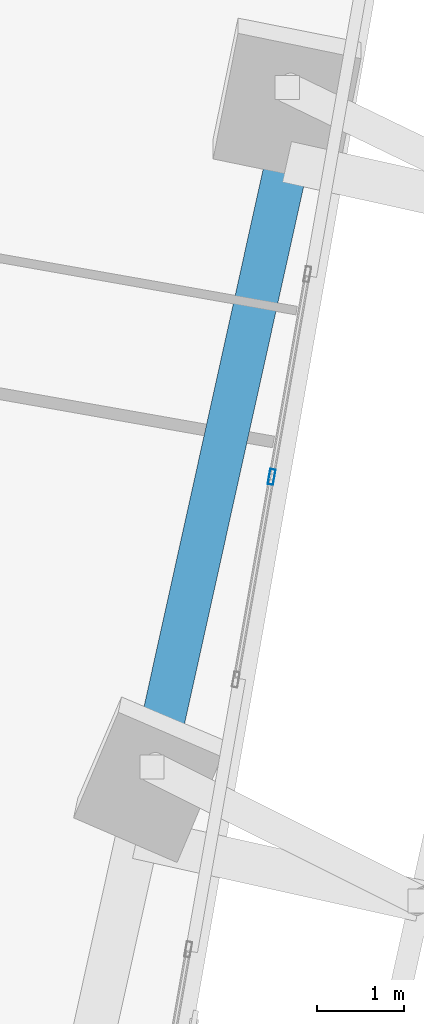
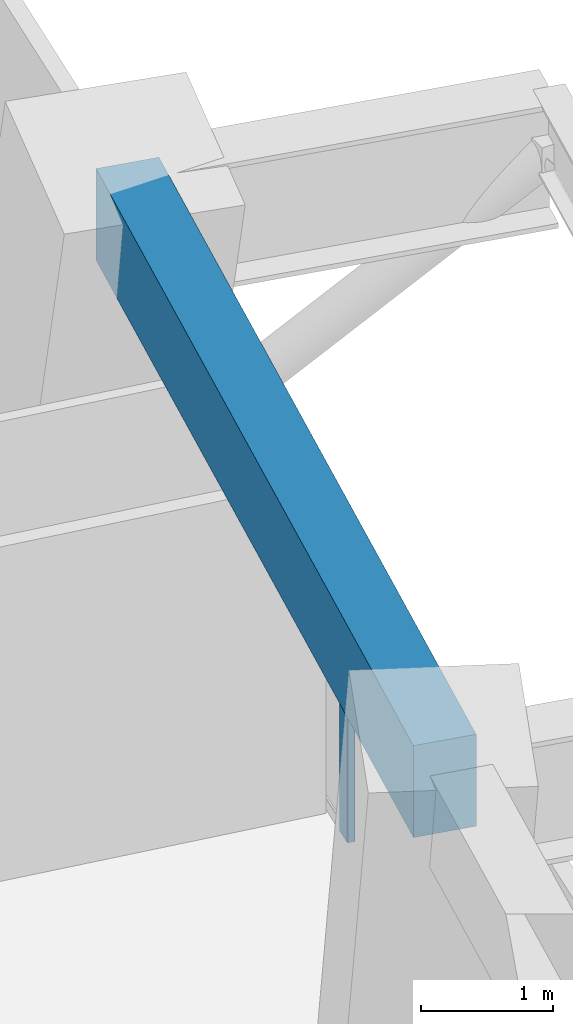
# One storey, part 10 of 24: 1 beam, 1 member, 1 element without a shape of its own.
"""IFC4 building model written with IfcOpenShell, lengths in metres."""

from ifc_helpers import new_model, si_unit, direction, frame, origin, origin_2d, place, context, subcontext, project, spatial, rectangle, hollow_rectangle, extrude, source, transform, mapped, material, material_profile, profile_set, type_object, element, aggregate, save


model = new_model("IFC4")

# Units and contexts
model_context = context("Model", 3, precision=1e-05, world=origin(), true_north=direction((0.0, 1.0)))
body_context = subcontext(model_context, "Body", "Model", "MODEL_VIEW")
ifc_project = project(units=[si_unit("LENGTHUNIT", "METRE"), si_unit("AREAUNIT", "SQUARE_METRE"), si_unit("VOLUMEUNIT", "CUBIC_METRE"), si_unit("PLANEANGLEUNIT", "RADIAN"), si_unit("MASSUNIT", "GRAM", prefix="KILO")], contexts=[model_context])

# Site, building, storey
site_placement = place(None, origin())
site = spatial("IfcSite", under=ifc_project, at=site_placement, CompositionType="ELEMENT")
building_placement = place(site_placement, origin())
building = spatial("IfcBuilding", under=site, at=building_placement, Name="Torre Montelarca", CompositionType="ELEMENT")
storey_placement = place(building_placement, frame((0.0, 0.0, 83.199951171875)))
storey = spatial("IfcBuildingStorey", under=building, at=storey_placement, Name="L18", CompositionType="ELEMENT", Elevation=83.199951171875)

# Beam
ifc_material_1 = material(Name="Concrete C55/67", Category="concrete")
ifc_material_profile_1 = material_profile(ifc_material_1, rectangle(XDim=0.5, YDim=0.85009765625, at=origin_2d()), Name="RCB500X850", Category="concrete")
ifc_profile_set_1 = profile_set([ifc_material_profile_1], Name="Concrete C55/67")
beam_type = type_object("IfcBeamType", Name="BM-SP-RC850-EXT", PredefinedType="SPANDREL", material=ifc_profile_set_1)
shared_shape_1 = source(origin(), body_context, "Body", "SweptSolid", [
    extrude(rectangle(XDim=0.5, YDim=0.85009765625, at=origin_2d()), origin(), (0.0, 0.0, 1.0), 8.0),
])
beam_placement = place(storey_placement, frame((59.08740234375, 23.6669921875, 3.53515625), z_axis=(0.216432808664, 0.976297515788, 0.0), x_axis=(-0.976297515788, 0.216432808664, 0.0)))
element("IfcBeam", 1, at=beam_placement, inside=storey, type_object=beam_type, Name="L18 Grid Girder Y 32.0-40.0 at X=60.0", PredefinedType="SPANDREL", context=body_context, shape_type="MappedRepresentation", body=[
    mapped(shared_shape_1, transform((0.0, 0.0, 0.0), scale=1.0)),
])

# Curtain wall, member
ifc_material_2 = material(Name="Insulated low-E laminated glass", Category="glass")
curtain_wall_type = type_object("IfcCurtainWallType", Name="CW-SYS-Z1", PredefinedType="USERDEFINED", material=ifc_material_2)
curtain_wall_placement = place(storey_placement, origin())
curtain_wall = element("IfcCurtainWall", 2, at=curtain_wall_placement, inside=storey, type_object=curtain_wall_type, Name="L18 Curtain Wall Run CW-T3-L18-E06-B2", ObjectType="UNITISED GLAZING", PredefinedType="USERDEFINED")
ifc_material_3 = material(Name="Anodised aluminium AA 6063-T6", Category="aluminium")
ifc_material_profile_2 = material_profile(ifc_material_3, hollow_rectangle(XDim=0.06494140625, YDim=0.179931640625, WallThickness=0.00390625, InnerFilletRadius=0.00390625, OuterFilletRadius=0.008056640625, at=origin_2d()), Name="ALU65X180X4", Category="aluminium")
ifc_profile_set_2 = profile_set([ifc_material_profile_2], Name="Anodised aluminium AA 6063-T6")
member_type = type_object("IfcMemberType", Name="CWM-ALU180", PredefinedType="MULLION", material=ifc_profile_set_2)
shared_shape_2 = source(origin(), body_context, "Body", "SweptSolid", [
    extrude(hollow_rectangle(XDim=0.06494140625, YDim=0.179931640625, WallThickness=0.00390625, InnerFilletRadius=0.00390625, OuterFilletRadius=0.008056640625, at=origin_2d()), origin(), (0.0, 0.0, 1.0), 2.775146484375),
])
member_placement = place(storey_placement, frame((60.64208984375, 27.8388671875, 0.0), z_axis=(0.0, 0.0, 1.0), x_axis=(-0.984808414108, 0.173644428366, 0.0)))
member = element("IfcMember", 3, at=member_placement, type_object=member_type, Name="CW mullion 2", PredefinedType="MULLION", context=body_context, shape_type="MappedRepresentation", body=[
    mapped(shared_shape_2, transform((0.0, 0.0, 0.0), scale=1.0)),
])
aggregate(curtain_wall, [member])

save(model, "model.ifc")
